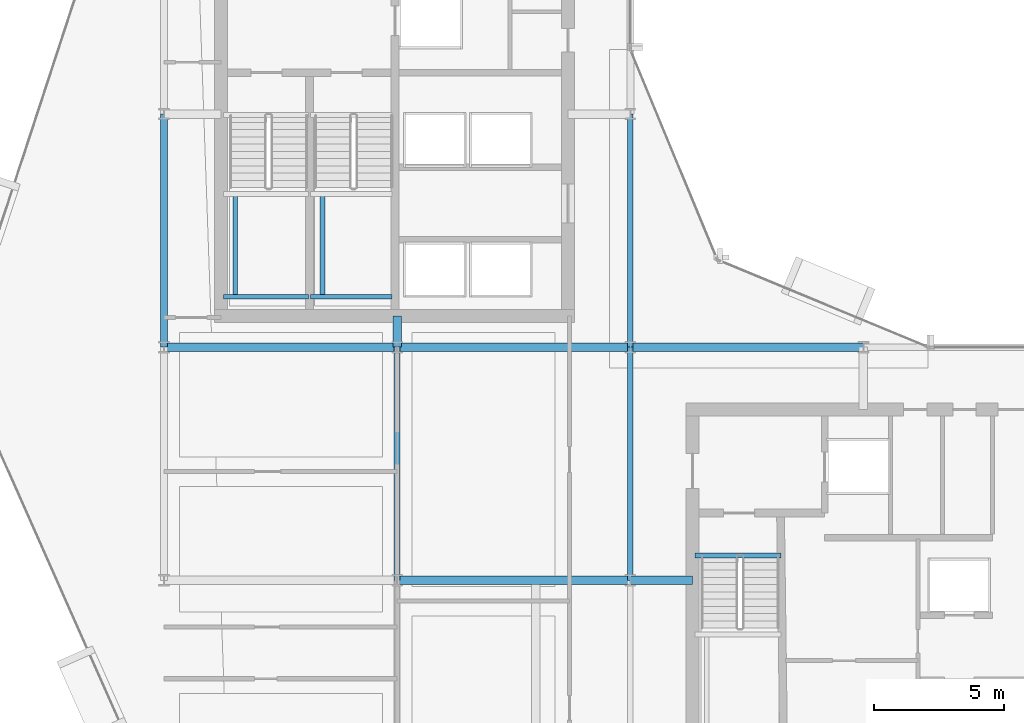
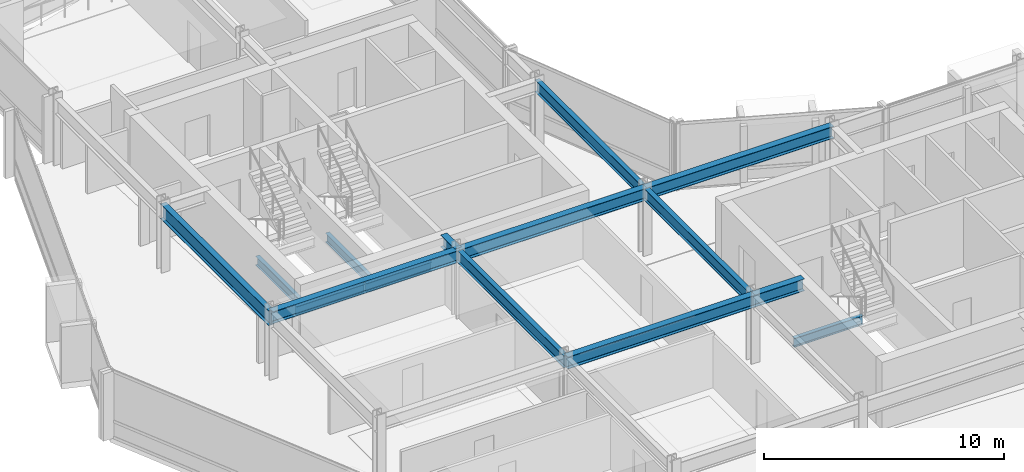
# One storey, part 7 of 29: 15 beams.
"""IFC4 building model written with IfcOpenShell, lengths in metres."""

from ifc_helpers import new_model, si_unit, direction, frame, origin, origin_2d, place, context, subcontext, project, spatial, i_section, extrude, material, material_profile, profile_set, type_object, element, save


model = new_model("IFC4")

# Units and contexts
model_context = context("Model", 3, precision=1e-05, world=origin(), true_north=direction((0.0, 1.0)))
body_context = subcontext(model_context, "Body", "Model", "MODEL_VIEW")
ifc_project = project(units=[si_unit("LENGTHUNIT", "METRE"), si_unit("AREAUNIT", "SQUARE_METRE"), si_unit("VOLUMEUNIT", "CUBIC_METRE"), si_unit("PLANEANGLEUNIT", "RADIAN"), si_unit("MASSUNIT", "GRAM", prefix="KILO")], contexts=[model_context])

# Site, building, storey
site_placement = place(None, origin())
site = spatial("IfcSite", under=ifc_project, at=site_placement, CompositionType="ELEMENT")
building_placement = place(site_placement, origin())
building = spatial("IfcBuilding", under=site, at=building_placement, Name="Solvaryn Broadcast Tower", CompositionType="ELEMENT")
storey_placement = place(building_placement, frame((0.0, 0.0, 139.60009765625)))
storey = spatial("IfcBuildingStorey", under=building, at=storey_placement, Name="L34", CompositionType="ELEMENT", Elevation=139.60009765625)

# Beams
ifc_material_1 = material(Name="Steel ASTM A992 Grade 50", Category="steel")
ifc_material_profile_1 = material_profile(ifc_material_1, i_section(OverallWidth=0.323974609375, OverallDepth=0.611083984375, WebThickness=0.0126953125, FlangeThickness=0.01904296875, FilletRadius=0.014892578125, at=origin_2d()))
ifc_profile_set_1 = profile_set([ifc_material_profile_1], Name="Steel ASTM A992 Grade 50")
beam_type_1 = type_object("IfcBeamType", Name="BM-B1-W24X104", PredefinedType="BEAM", material=ifc_profile_set_1)
for number, where, z_axis, x_axis, name in (
    (1, (18.0, 18.0, 3.114501953125), (1.0, 0.0, 0.0), (0.0, 1.0, 0.0), "L34 Primary Beam X (18-27 @ Y=18)"),
    (2, (9.0, 27.0, 3.114501953125), (1.0, 0.0, 0.0), (0.0, 1.0, 0.0), "L34 Primary Beam X (9-18 @ Y=27)"),
    (3, (18.0, 27.0, 3.114501953125), (1.0, 0.0, 0.0), (0.0, 1.0, 0.0), "L34 Primary Beam X (18-27 @ Y=27)"),
    (4, (27.0, 27.0, 3.114501953125), (1.0, 0.0, 0.0), (0.0, 1.0, 0.0), "L34 Primary Beam X (27-36 @ Y=27)"),
):
    element("IfcBeam", number, at=place(storey_placement, frame(where, z_axis=z_axis, x_axis=x_axis)), inside=storey, type_object=beam_type_1, Name=name, PredefinedType="BEAM", context=body_context, shape_type="SweptSolid", body=[
        extrude(i_section(OverallWidth=0.323974609375, OverallDepth=0.611083984375, WebThickness=0.0126953125, FlangeThickness=0.01904296875, FilletRadius=0.014892578125, at=origin_2d()), origin(), (0.0, 0.0, 1.0), 9.0),
    ])
beam_1_placement = place(storey_placement, frame((18.0, 27.0, 3.114501953125), z_axis=(0.0, 1.0, 0.0), x_axis=(-1.0, 0.0, 0.0)))
element("IfcBeam", 5, at=beam_1_placement, inside=storey, type_object=beam_type_1, Name="L34 Core Tie Beam CTW4", PredefinedType="BEAM", context=body_context, shape_type="SweptSolid", body=[
    extrude(i_section(OverallWidth=0.323974609375, OverallDepth=0.611083984375, WebThickness=0.0126953125, FlangeThickness=0.01904296875, FilletRadius=0.014892578125, at=origin_2d()), origin(), (0.0, 0.0, 1.0), 1.199951171875),
])
beam_2_placement = place(storey_placement, frame((27.0, 18.0, 3.114501953125), z_axis=(1.0, 0.0, 0.0), x_axis=(0.0, 1.0, 0.0)))
element("IfcBeam", 6, at=beam_2_placement, inside=storey, type_object=beam_type_1, Name="L34 Core Tie Beam CTE4", PredefinedType="BEAM", context=body_context, shape_type="SweptSolid", body=[
    extrude(i_section(OverallWidth=0.323974609375, OverallDepth=0.611083984375, WebThickness=0.0126953125, FlangeThickness=0.01904296875, FilletRadius=0.014892578125, at=origin_2d()), origin(), (0.0, 0.0, 1.0), 2.39990234375),
])
ifc_material_2 = material(Name="Steel ASTM A992 Grade 50", Category="steel")
ifc_material_profile_2 = material_profile(ifc_material_2, i_section(OverallWidth=0.22802734375, OverallDepth=0.60791015625, WebThickness=0.01123046875, FlangeThickness=0.017333984375, FilletRadius=0.014892578125, at=origin_2d()))
ifc_profile_set_2 = profile_set([ifc_material_profile_2], Name="Steel ASTM A992 Grade 50")
beam_type_2 = type_object("IfcBeamType", Name="BM-B2-W24X76", PredefinedType="BEAM", material=ifc_profile_set_2)
for number, where, z_axis, x_axis, name in (
    (7, (18.0, 18.0, 3.115966796875), (0.0, 1.0, 0.0), (-1.0, 0.0, 0.0), "L34 Primary Beam Y (18-27 @ X=18)"),
    (8, (27.0, 18.0, 3.115966796875), (0.0, 1.0, 0.0), (-1.0, 0.0, 0.0), "L34 Primary Beam Y (18-27 @ X=27)"),
    (9, (27.0, 27.0, 3.115966796875), (0.0, 1.0, 0.0), (-1.0, 0.0, 0.0), "L34 Primary Beam Y (27-36 @ X=27)"),
):
    element("IfcBeam", number, at=place(storey_placement, frame(where, z_axis=z_axis, x_axis=x_axis)), inside=storey, type_object=beam_type_2, Name=name, PredefinedType="BEAM", context=body_context, shape_type="SweptSolid", body=[
        extrude(i_section(OverallWidth=0.22802734375, OverallDepth=0.60791015625, WebThickness=0.01123046875, FlangeThickness=0.017333984375, FilletRadius=0.014892578125, at=origin_2d()), origin(), (0.0, 0.0, 1.0), 9.0),
    ])
ifc_material_3 = material(Name="Steel ASTM A992 Grade 50", Category="steel")
ifc_material_profile_3 = material_profile(ifc_material_3, i_section(OverallWidth=0.18994140625, OverallDepth=0.45703125, WebThickness=0.009033203125, FlangeThickness=0.014404296875, FilletRadius=0.011962890625, at=origin_2d()))
ifc_profile_set_3 = profile_set([ifc_material_profile_3], Name="Steel ASTM A992 Grade 50")
beam_type_3 = type_object("IfcBeamType", Name="BM-B4-W18X50", PredefinedType="BEAM", material=ifc_profile_set_3)
beam_3_placement = place(storey_placement, frame((11.300048828125, 28.949951171875, 1.42138671875), z_axis=(1.0, 0.0, 0.0), x_axis=(0.0, 1.0, 0.0)))
element("IfcBeam", 10, at=beam_3_placement, inside=storey, type_object=beam_type_3, Name="L34 ST1 Landing Support Beam 1A", PredefinedType="BEAM", context=body_context, shape_type="SweptSolid", body=[
    extrude(i_section(OverallWidth=0.18994140625, OverallDepth=0.45703125, WebThickness=0.009033203125, FlangeThickness=0.014404296875, FilletRadius=0.011962890625, at=origin_2d()), origin(), (0.0, 0.0, 1.0), 3.280029296875),
])
beam_4_placement = place(storey_placement, frame((11.75, 28.949951171875, 1.42138671875), z_axis=(0.0, 1.0, 0.0), x_axis=(-1.0, 0.0, 0.0)))
element("IfcBeam", 11, at=beam_4_placement, inside=storey, type_object=beam_type_3, Name="L34 ST1 Landing Cross Stringer 1C", PredefinedType="BEAM", context=body_context, shape_type="SweptSolid", body=[
    extrude(i_section(OverallWidth=0.18994140625, OverallDepth=0.45703125, WebThickness=0.009033203125, FlangeThickness=0.014404296875, FilletRadius=0.011962890625, at=origin_2d()), origin(), (0.0, 0.0, 1.0), 3.9599609375),
])
beam_5_placement = place(storey_placement, frame((14.659912109375, 28.949951171875, 1.42138671875), z_axis=(1.0, 0.0, 0.0), x_axis=(0.0, 1.0, 0.0)))
element("IfcBeam", 12, at=beam_5_placement, inside=storey, type_object=beam_type_3, Name="L34 ST2 Landing Support Beam 1A", PredefinedType="BEAM", context=body_context, shape_type="SweptSolid", body=[
    extrude(i_section(OverallWidth=0.18994140625, OverallDepth=0.45703125, WebThickness=0.009033203125, FlangeThickness=0.014404296875, FilletRadius=0.011962890625, at=origin_2d()), origin(), (0.0, 0.0, 1.0), 3.14013671875),
])
beam_6_placement = place(storey_placement, frame((15.110107421875, 28.949951171875, 1.42138671875), z_axis=(0.0, 1.0, 0.0), x_axis=(-1.0, 0.0, 0.0)))
element("IfcBeam", 13, at=beam_6_placement, inside=storey, type_object=beam_type_3, Name="L34 ST2 Landing Cross Stringer 1C", PredefinedType="BEAM", context=body_context, shape_type="SweptSolid", body=[
    extrude(i_section(OverallWidth=0.18994140625, OverallDepth=0.45703125, WebThickness=0.009033203125, FlangeThickness=0.014404296875, FilletRadius=0.011962890625, at=origin_2d()), origin(), (0.0, 0.0, 1.0), 3.9599609375),
])
beam_7_placement = place(storey_placement, frame((29.5, 18.9599609375, -0.508544921875), z_axis=(1.0, 0.0, 0.0), x_axis=(0.0, 1.0, 0.0)))
element("IfcBeam", 14, at=beam_7_placement, inside=storey, type_object=beam_type_3, Name="L34 ST3 Stair Well Trimmer Beam", PredefinedType="BEAM", context=body_context, shape_type="SweptSolid", body=[
    extrude(i_section(OverallWidth=0.18994140625, OverallDepth=0.45703125, WebThickness=0.009033203125, FlangeThickness=0.014404296875, FilletRadius=0.011962890625, at=origin_2d()), origin(), (0.0, 0.0, 1.0), 3.320068359375),
])
ifc_material_4 = material(Name="Steel ASTM A992 Grade 50", Category="steel")
ifc_material_profile_4 = material_profile(ifc_material_4, i_section(OverallWidth=0.26708984375, OverallDepth=0.76611328125, WebThickness=0.014892578125, FlangeThickness=0.023681640625, FilletRadius=0.01806640625, at=origin_2d()))
ifc_profile_set_4 = profile_set([ifc_material_profile_4], Name="Steel ASTM A992 Grade 50")
beam_type_4 = type_object("IfcBeamType", Name="BM-SP2-W30X124", PredefinedType="USERDEFINED", material=ifc_profile_set_4)
beam_8_placement = place(storey_placement, frame((9.0, 27.0, 3.036865234375), z_axis=(0.0, 1.0, 0.0), x_axis=(-1.0, 0.0, 0.0)))
element("IfcBeam", 15, at=beam_8_placement, inside=storey, type_object=beam_type_4, Name="L34 Spandrel Beam Y (27-36 @ X=9)", ObjectType="SPANDREL", PredefinedType="USERDEFINED", context=body_context, shape_type="SweptSolid", body=[
    extrude(i_section(OverallWidth=0.26708984375, OverallDepth=0.76611328125, WebThickness=0.014892578125, FlangeThickness=0.023681640625, FilletRadius=0.01806640625, at=origin_2d()), origin(), (0.0, 0.0, 1.0), 9.0),
])

save(model, "model.ifc")
